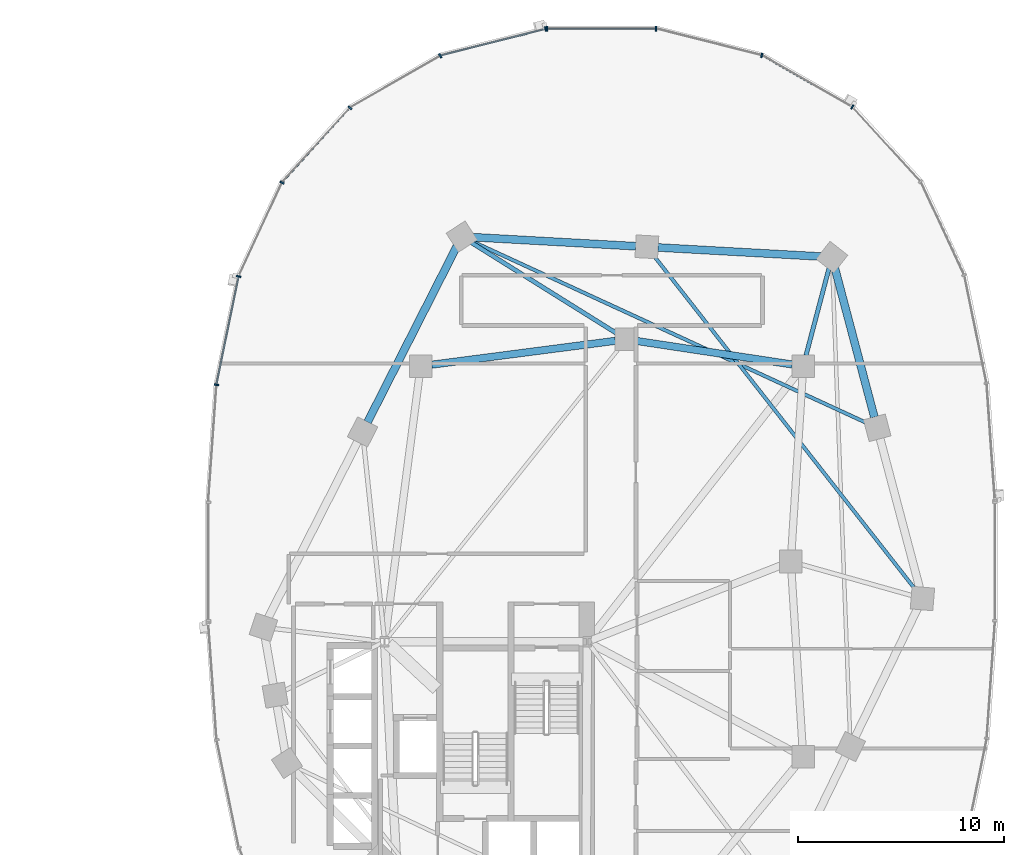
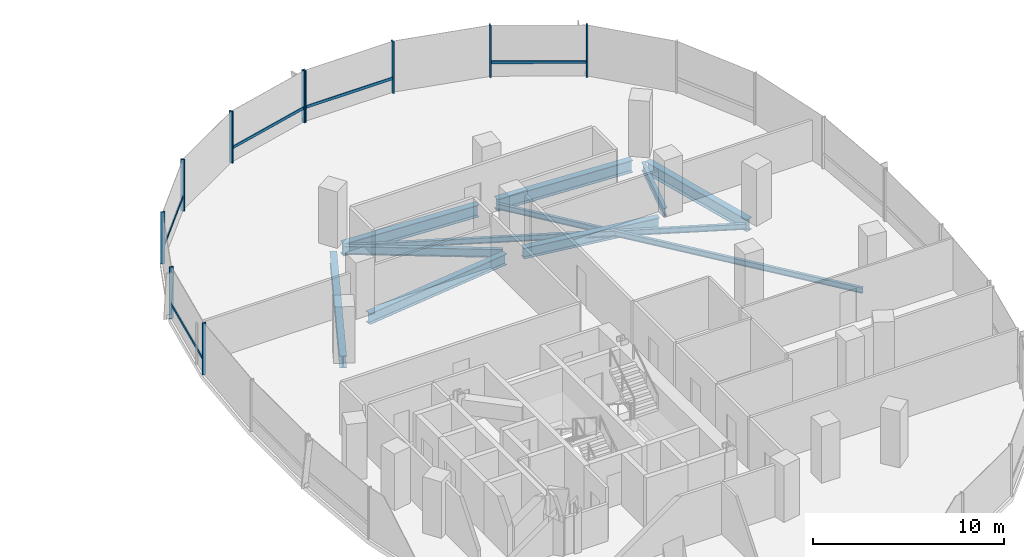
# One storey, part 7 of 21: 15 members, 10 beams, 2 elements without a shape of their own.
"""IFC4 building model written with IfcOpenShell, lengths in metres."""

from ifc_helpers import new_model, si_unit, direction, frame, origin, origin_2d, place, context, subcontext, project, spatial, rectangle, i_section, extrude, material, material_profile, profile_set, type_object, element, aggregate, save


model = new_model("IFC4")

# Units and contexts
model_context = context("Model", 3, precision=1e-05, world=origin(), true_north=direction((0.0, 1.0)))
body_context = subcontext(model_context, "Body", "Model", "MODEL_VIEW")
ifc_project = project(units=[si_unit("LENGTHUNIT", "METRE"), si_unit("AREAUNIT", "SQUARE_METRE"), si_unit("VOLUMEUNIT", "CUBIC_METRE"), si_unit("PLANEANGLEUNIT", "RADIAN"), si_unit("MASSUNIT", "GRAM", prefix="KILO"), si_unit("THERMODYNAMICTEMPERATUREUNIT", "KELVIN"), si_unit("POWERUNIT", "WATT")], contexts=[model_context])

# Site, building, storey
site_placement = place(None, origin())
site = spatial("IfcSite", under=ifc_project, at=site_placement, CompositionType="ELEMENT")
building_placement = place(site_placement, origin())
building = spatial("IfcBuilding", under=site, at=building_placement, Name="Cundina Bronze Exchange", CompositionType="ELEMENT")
storey_placement = place(building_placement, frame((0.0, 0.0, 96.199951171875)))
storey = spatial("IfcBuildingStorey", under=building, at=storey_placement, Name="L24", CompositionType="ELEMENT", Elevation=96.199951171875)

# Beams
ifc_material_1 = material(Name="Steel ASTM A992 Grade 50", Category="steel")
ifc_material_profile_1 = material_profile(ifc_material_1, i_section(OverallWidth=0.2099609375, OverallDepth=0.532958984375, WebThickness=0.01025390625, FlangeThickness=0.015625, FilletRadius=0.013916015625, at=origin_2d()), Name="W21X62", Category="steel")
ifc_profile_set_1 = profile_set([ifc_material_profile_1], Name="Steel ASTM A992 Grade 50")
beam_type_1 = type_object("IfcBeamType", Name="BM-FLR-W21B", PredefinedType="BEAM", material=ifc_profile_set_1)
beam_1_placement = place(storey_placement, frame((41.9375, 10.020263671875, -0.56640625), z_axis=(0.255357891402, 0.966846599673, 0.0), x_axis=(-0.966846599673, 0.255357891402, 0.0)))
element("IfcBeam", 1, at=beam_1_placement, inside=storey, type_object=beam_type_1, Name="L24 Leg E Chordal Floor Beam 10", PredefinedType="BEAM", context=body_context, shape_type="SweptSolid", body=[
    extrude(i_section(OverallWidth=0.2099609375, OverallDepth=0.532958984375, WebThickness=0.01025390625, FlangeThickness=0.015625, FilletRadius=0.013916015625, at=origin_2d()), origin(), (0.0, 0.0, 1.0), 4.405517578125),
])
beam_2_placement = place(storey_placement, frame((32.743896484375, 11.085205078125, -0.56640625), z_axis=(-0.848003227047, 0.529991063055, 0.0), x_axis=(-0.529991063055, -0.848003227047, 0.0)))
element("IfcBeam", 2, at=beam_2_placement, inside=storey, type_object=beam_type_1, Name="L24 Leg E Chordal Floor Beam 12", PredefinedType="BEAM", context=body_context, shape_type="SweptSolid", body=[
    extrude(i_section(OverallWidth=0.2099609375, OverallDepth=0.532958984375, WebThickness=0.01025390625, FlangeThickness=0.015625, FilletRadius=0.013916015625, at=origin_2d()), origin(), (0.0, 0.0, 1.0), 8.358154296875),
])
ifc_material_profile_2 = material_profile(ifc_material_1, i_section(OverallWidth=0.172119140625, OverallDepth=0.35791015625, WebThickness=0.0078125, FlangeThickness=0.01318359375, FilletRadius=0.010009765625, at=origin_2d()), Name="W14X38", Category="steel")
ifc_profile_set_2 = profile_set([ifc_material_profile_2], Name="Steel ASTM A992 Grade 50")
beam_type_2 = type_object("IfcBeamType", Name="BM-JST-W14", PredefinedType="JOIST", material=ifc_profile_set_2)
beam_3_placement = place(storey_placement, frame((47.268310546875, -1.37646484375, -0.47900390625), z_axis=(-0.616815348306, 0.787107887201, 0.0), x_axis=(-0.787107887201, -0.616815348306, 0.0)))
element("IfcBeam", 3, at=beam_3_placement, inside=storey, type_object=beam_type_2, Name="L24 Leg E Lobe Floor Joist 08-11", PredefinedType="JOIST", context=body_context, shape_type="SweptSolid", body=[
    extrude(i_section(OverallWidth=0.172119140625, OverallDepth=0.35791015625, WebThickness=0.0078125, FlangeThickness=0.01318359375, FilletRadius=0.010009765625, at=origin_2d()), origin(), (0.0, 0.0, 1.0), 20.64892578125),
])
beam_4_placement = place(storey_placement, frame((44.911376953125, 6.72509765625, -0.47900390625), z_axis=(-0.908357076874, 0.41819543385, 0.0), x_axis=(-0.41819543385, -0.908357076874, 0.0)))
element("IfcBeam", 4, at=beam_4_placement, inside=storey, type_object=beam_type_2, Name="L24 Leg E Lobe Floor Joist 09-12", PredefinedType="JOIST", context=body_context, shape_type="SweptSolid", body=[
    extrude(i_section(OverallWidth=0.172119140625, OverallDepth=0.35791015625, WebThickness=0.0078125, FlangeThickness=0.01318359375, FilletRadius=0.010009765625, at=origin_2d()), origin(), (0.0, 0.0, 1.0), 21.162109375),
])
ifc_material_profile_3 = material_profile(ifc_material_1, i_section(OverallWidth=0.35498046875, OverallDepth=0.695068359375, WebThickness=0.015380859375, FlangeThickness=0.02490234375, FilletRadius=0.01806640625, at=origin_2d()), Name="W27X146", Category="steel")
ifc_profile_set_3 = profile_set([ifc_material_profile_3], Name="Steel ASTM A992 Grade 50")
beam_type_3 = type_object("IfcBeamType", Name="BM-RING-W27", PredefinedType="USERDEFINED", material=ifc_profile_set_3)
beam_5_placement = place(storey_placement, frame((41.26806640625, 9.580322265625, -0.6474609375), z_axis=(-0.988767489563, 0.149461873341, 0.0), x_axis=(-0.149461873341, -0.988767489563, 0.0)))
element("IfcBeam", 5, at=beam_5_placement, inside=storey, type_object=beam_type_3, Name="L24 E Inner Structural Ring Girder 05", ObjectType="GIRDER", PredefinedType="USERDEFINED", context=body_context, shape_type="SweptSolid", body=[
    extrude(i_section(OverallWidth=0.35498046875, OverallDepth=0.695068359375, WebThickness=0.015380859375, FlangeThickness=0.02490234375, FilletRadius=0.01806640625, at=origin_2d()), origin(), (0.0, 0.0, 1.0), 7.621826171875),
])
beam_6_placement = place(storey_placement, frame((32.66650390625, 10.730712890625, -0.6474609375), z_axis=(-0.991654577907, -0.128923225666, 0.0), x_axis=(0.128923225666, -0.991654577907, 0.0)))
element("IfcBeam", 6, at=beam_6_placement, inside=storey, type_object=beam_type_3, Name="L24 E Inner Structural Ring Girder 06", ObjectType="GIRDER", PredefinedType="USERDEFINED", context=body_context, shape_type="SweptSolid", body=[
    extrude(i_section(OverallWidth=0.35498046875, OverallDepth=0.695068359375, WebThickness=0.015380859375, FlangeThickness=0.02490234375, FilletRadius=0.01806640625, at=origin_2d()), origin(), (0.0, 0.0, 1.0), 9.00830078125),
])
ifc_material_profile_4 = material_profile(ifc_material_1, i_section(OverallWidth=0.381103515625, OverallDepth=0.77294921875, WebThickness=0.0166015625, FlangeThickness=0.027099609375, FilletRadius=0.01904296875, at=origin_2d()), Name="W30X173", Category="steel")
ifc_profile_set_4 = profile_set([ifc_material_profile_4], Name="Steel ASTM A992 Grade 50")
beam_type_4 = type_object("IfcBeamType", Name="BM-RING-W30", PredefinedType="USERDEFINED", material=ifc_profile_set_4)
beam_7_placement = place(storey_placement, frame((45.26220703125, 7.02001953125, -0.6865234375), z_axis=(-0.256209719931, 0.966621218168, 0.0), x_axis=(-0.966621218168, -0.256209719931, 0.0)))
element("IfcBeam", 7, at=beam_7_placement, inside=storey, type_object=beam_type_4, Name="L24 E Perimeter Ring Girder 09", ObjectType="GIRDER", PredefinedType="USERDEFINED", context=body_context, shape_type="SweptSolid", body=[
    extrude(i_section(OverallWidth=0.381103515625, OverallDepth=0.77294921875, WebThickness=0.0166015625, FlangeThickness=0.027099609375, FilletRadius=0.01904296875, at=origin_2d()), origin(), (0.0, 0.0, 1.0), 7.5107421875),
])
for number, where, z_axis, x_axis, name in (
    (8, (42.662841796875, 14.829833984375, -0.6865234375), (-0.99845950136, 0.055485350721, 0.0), (-0.055485350721, -0.99845950136, 0.0), "L24 E Perimeter Ring Girder 10"),
    (9, (33.662841796875, 15.329833984375, -0.6865234375), (-0.99845950136, 0.055485350721, 0.0), (-0.055485350721, -0.99845950136, 0.0), "L24 E Perimeter Ring Girder 11"),
):
    element("IfcBeam", number, at=place(storey_placement, frame(where, z_axis=z_axis, x_axis=x_axis)), inside=storey, type_object=beam_type_4, Name=name, ObjectType="GIRDER", PredefinedType="USERDEFINED", context=body_context, shape_type="SweptSolid", body=[
        extrude(i_section(OverallWidth=0.381103515625, OverallDepth=0.77294921875, WebThickness=0.0166015625, FlangeThickness=0.027099609375, FilletRadius=0.01904296875, at=origin_2d()), origin(), (0.0, 0.0, 1.0), 7.937744140625),
    ])
beam_8_placement = place(storey_placement, frame((24.956298828125, 15.3203125, -0.6865234375), z_axis=(-0.452832332744, -0.891595692241, 0.0), x_axis=(0.891595692241, -0.452832332744, 0.0)))
element("IfcBeam", 10, at=beam_8_placement, inside=storey, type_object=beam_type_4, Name="L24 E Perimeter Ring Girder 12", ObjectType="GIRDER", PredefinedType="USERDEFINED", context=body_context, shape_type="SweptSolid", body=[
    extrude(i_section(OverallWidth=0.381103515625, OverallDepth=0.77294921875, WebThickness=0.0166015625, FlangeThickness=0.027099609375, FilletRadius=0.01904296875, at=origin_2d()), origin(), (0.0, 0.0, 1.0), 9.578857421875),
])

# Curtain wall, members
ifc_material_2 = material(Name="Anodised Bronze Aluminium 6063-T6", Category="aluminium")
curtain_wall_type = type_object("IfcCurtainWallType", Name="CWS-TRD-MID", PredefinedType="NOTDEFINED", material=ifc_material_2)
curtain_wall_1_placement = place(storey_placement, origin())
curtain_wall_1 = element("IfcCurtainWall", 11, at=curtain_wall_1_placement, inside=storey, type_object=curtain_wall_type, Name="L24 CW-03 Curtain Wall Run CWR-L24-E1", PredefinedType="NOTDEFINED")
ifc_material_profile_5 = material_profile(ifc_material_2, rectangle(XDim=0.074951171875, YDim=0.219970703125, at=origin_2d()), Name="AL75X220", Category="aluminium")
ifc_profile_set_5 = profile_set([ifc_material_profile_5], Name="Anodised Bronze Aluminium 6063-T6")
member_type_1 = type_object("IfcMemberType", Name="CWM-MUL-220", PredefinedType="MULLION", material=ifc_profile_set_5)
member_1_placement = place(storey_placement, frame((44.189697265625, 22.097412109375, 0.0), z_axis=(0.0, 0.0, 1.0), x_axis=(-0.867070701164, 0.498185105339, 0.0)))
member_1 = element("IfcMember", 12, at=member_1_placement, type_object=member_type_1, Name="CW-03 Mullion 5", PredefinedType="MULLION", context=body_context, shape_type="SweptSolid", body=[
    extrude(rectangle(XDim=0.074951171875, YDim=0.219970703125, at=origin_2d()), origin(), (0.0, 0.0, 1.0), 3.300048828125),
])
member_2_placement = place(storey_placement, frame((39.78515625, 24.61669921875, 0.0), z_axis=(0.0, 0.0, 1.0), x_axis=(-0.969488149345, 0.245138182011, 0.0)))
member_2 = element("IfcMember", 13, at=member_2_placement, type_object=member_type_1, Name="CW-03 Mullion 6", PredefinedType="MULLION", context=body_context, shape_type="SweptSolid", body=[
    extrude(rectangle(XDim=0.074951171875, YDim=0.219970703125, at=origin_2d()), origin(), (0.0, 0.0, 1.0), 3.300048828125),
])
member_3_placement = place(storey_placement, frame((34.654541015625, 25.905029296875, 0.0), z_axis=(0.0, 0.0, 1.0), x_axis=(-1.0, 0.0, 0.0)))
member_3 = element("IfcMember", 14, at=member_3_placement, type_object=member_type_1, Name="CW-03 Mullion 7", PredefinedType="MULLION", context=body_context, shape_type="SweptSolid", body=[
    extrude(rectangle(XDim=0.074951171875, YDim=0.219970703125, at=origin_2d()), origin(), (0.0, 0.0, 1.0), 3.300048828125),
])
member_4_placement = place(storey_placement, frame((29.345458984375, 25.905029296875, 0.0), z_axis=(0.0, 0.0, 1.0), x_axis=(-1.0, 0.0, 0.0)))
member_4 = element("IfcMember", 15, at=member_4_placement, type_object=member_type_1, Name="CW-03 End Mullion", PredefinedType="MULLION", context=body_context, shape_type="SweptSolid", body=[
    extrude(rectangle(XDim=0.074951171875, YDim=0.219970703125, at=origin_2d()), origin(), (0.0, 0.0, 1.0), 3.300048828125),
])

curtain_wall_2_placement = place(storey_placement, origin())
curtain_wall_2 = element("IfcCurtainWall", 16, at=curtain_wall_2_placement, inside=storey, type_object=curtain_wall_type, Name="L24 CW-03 Curtain Wall Run CWR-L24-E2", PredefinedType="NOTDEFINED")
member_5_placement = place(storey_placement, frame((29.27392578125, 25.89599609375, 0.0), z_axis=(0.0, 0.0, 1.0), x_axis=(-0.969488149345, -0.245138182011, 0.0)))
member_5 = element("IfcMember", 17, at=member_5_placement, type_object=member_type_1, Name="CW-03 Mullion 1", PredefinedType="MULLION", context=body_context, shape_type="SweptSolid", body=[
    extrude(rectangle(XDim=0.074951171875, YDim=0.219970703125, at=origin_2d()), origin(), (0.0, 0.0, 1.0), 3.300048828125),
])
member_6_placement = place(storey_placement, frame((24.151123046875, 24.591064453125, 0.0), z_axis=(0.0, 0.0, 1.0), x_axis=(-0.867070701164, -0.498185105339, 0.0)))
member_6 = element("IfcMember", 18, at=member_6_placement, type_object=member_type_1, Name="CW-03 Mullion 2", PredefinedType="MULLION", context=body_context, shape_type="SweptSolid", body=[
    extrude(rectangle(XDim=0.074951171875, YDim=0.219970703125, at=origin_2d()), origin(), (0.0, 0.0, 1.0), 3.300048828125),
])
member_7_placement = place(storey_placement, frame((19.760498046875, 22.0576171875, 0.0), z_axis=(0.0, 0.0, 1.0), x_axis=(-0.674302387584, -0.738455340626, 0.0)))
member_7 = element("IfcMember", 19, at=member_7_placement, type_object=member_type_1, Name="CW-03 Mullion 3", PredefinedType="MULLION", context=body_context, shape_type="SweptSolid", body=[
    extrude(rectangle(XDim=0.074951171875, YDim=0.219970703125, at=origin_2d()), origin(), (0.0, 0.0, 1.0), 3.300048828125),
])
member_8_placement = place(storey_placement, frame((16.455810546875, 18.423583984375, 0.0), z_axis=(0.0, 0.0, 1.0), x_axis=(-0.42087749791, -0.907117485088, 0.0)))
member_8 = element("IfcMember", 20, at=member_8_placement, type_object=member_type_1, Name="CW-03 Mullion 4", PredefinedType="MULLION", context=body_context, shape_type="SweptSolid", body=[
    extrude(rectangle(XDim=0.074951171875, YDim=0.219970703125, at=origin_2d()), origin(), (0.0, 0.0, 1.0), 3.300048828125),
])
member_9_placement = place(storey_placement, frame((14.348876953125, 13.861328125, 0.0), z_axis=(0.0, 0.0, 1.0), x_axis=(-0.201419845156, -0.979505000486, 0.0)))
member_9 = element("IfcMember", 21, at=member_9_placement, type_object=member_type_1, Name="CW-03 Mullion 5", PredefinedType="MULLION", context=body_context, shape_type="SweptSolid", body=[
    extrude(rectangle(XDim=0.074951171875, YDim=0.219970703125, at=origin_2d()), origin(), (0.0, 0.0, 1.0), 3.300048828125),
])
member_10_placement = place(storey_placement, frame((13.27099609375, 8.591552734375, 0.0), z_axis=(0.0, 0.0, 1.0), x_axis=(-0.070278787473, -0.997527389113, 0.0)))
member_10 = element("IfcMember", 22, at=member_10_placement, type_object=member_type_1, Name="CW-03 Mullion 6", PredefinedType="MULLION", context=body_context, shape_type="SweptSolid", body=[
    extrude(rectangle(XDim=0.074951171875, YDim=0.219970703125, at=origin_2d()), origin(), (0.0, 0.0, 1.0), 3.300048828125),
])

# Member
ifc_material_profile_6 = material_profile(ifc_material_2, rectangle(XDim=0.070068359375, YDim=0.179931640625, at=origin_2d()), Name="AL70X180", Category="aluminium")
ifc_profile_set_6 = profile_set([ifc_material_profile_6], Name="Anodised Bronze Aluminium 6063-T6")
member_type_2 = type_object("IfcMemberType", Name="CWM-TRN-180", PredefinedType="USERDEFINED", material=ifc_profile_set_6)
member_11_placement = place(storey_placement, frame((44.154052734375, 22.117919921875, 0.920166015625), z_axis=(-0.867097475651, 0.498138502546, 0.0), x_axis=(-0.498138502546, -0.867097475651, 0.0)))
member_11 = element("IfcMember", 23, at=member_11_placement, type_object=member_type_2, Name="CW-03 Spandrel Transom 5", ObjectType="TRANSOM", PredefinedType="USERDEFINED", context=body_context, shape_type="SweptSolid", body=[
    extrude(rectangle(XDim=0.070068359375, YDim=0.179931640625, at=origin_2d()), origin(), (0.0, 0.0, 1.0), 5.00634765625),
])

member_12_placement = place(storey_placement, frame((34.61328125, 25.905029296875, 0.920166015625), z_axis=(-1.0, 0.0, 0.0), x_axis=(0.0, -1.0, 0.0)))
member_12 = element("IfcMember", 24, at=member_12_placement, type_object=member_type_2, Name="CW-03 Spandrel Transom 7", ObjectType="TRANSOM", PredefinedType="USERDEFINED", context=body_context, shape_type="SweptSolid", body=[
    extrude(rectangle(XDim=0.070068359375, YDim=0.179931640625, at=origin_2d()), origin(), (0.0, 0.0, 1.0), 5.2265625),
])

aggregate(curtain_wall_1, [member_1, member_11, member_2, member_3, member_4, member_12])

member_13_placement = place(storey_placement, frame((29.23388671875, 25.885986328125, 0.920166015625), z_axis=(-0.969483968866, -0.245154714644, 0.0), x_axis=(0.245154714644, -0.969483968866, 0.0)))
member_13 = element("IfcMember", 25, at=member_13_placement, type_object=member_type_2, Name="CW-03 Spandrel Transom 1", ObjectType="TRANSOM", PredefinedType="USERDEFINED", context=body_context, shape_type="SweptSolid", body=[
    extrude(rectangle(XDim=0.070068359375, YDim=0.179931640625, at=origin_2d()), origin(), (0.0, 0.0, 1.0), 5.21826171875),
])

member_14_placement = place(storey_placement, frame((19.73291015625, 22.027099609375, 0.920166015625), z_axis=(-0.674302794847, -0.738454968743, 0.0), x_axis=(0.738454968743, -0.674302794847, 0.0)))
member_14 = element("IfcMember", 26, at=member_14_placement, type_object=member_type_2, Name="CW-03 Spandrel Transom 3", ObjectType="TRANSOM", PredefinedType="USERDEFINED", context=body_context, shape_type="SweptSolid", body=[
    extrude(rectangle(XDim=0.070068359375, YDim=0.179931640625, at=origin_2d()), origin(), (0.0, 0.0, 1.0), 4.848388671875),
])

member_15_placement = place(storey_placement, frame((14.340576171875, 13.821044921875, 0.920166015625), z_axis=(-0.201427712708, -0.979503382615, 0.0), x_axis=(0.979503382615, -0.201427712708, 0.0)))
member_15 = element("IfcMember", 27, at=member_15_placement, type_object=member_type_2, Name="CW-03 Spandrel Transom 5", ObjectType="TRANSOM", PredefinedType="USERDEFINED", context=body_context, shape_type="SweptSolid", body=[
    extrude(rectangle(XDim=0.070068359375, YDim=0.179931640625, at=origin_2d()), origin(), (0.0, 0.0, 1.0), 5.291748046875),
])

aggregate(curtain_wall_2, [member_5, member_13, member_6, member_7, member_14, member_8, member_9, member_15, member_10])

save(model, "model.ifc")
